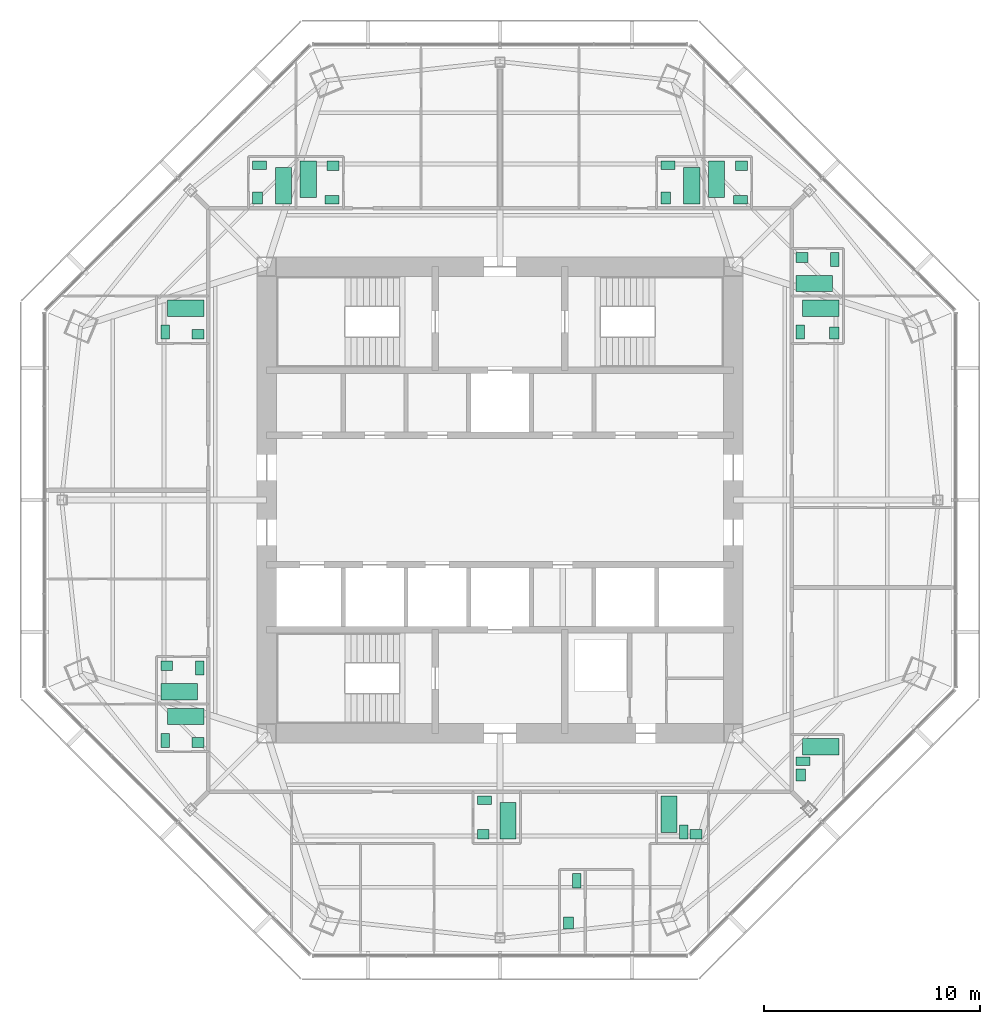
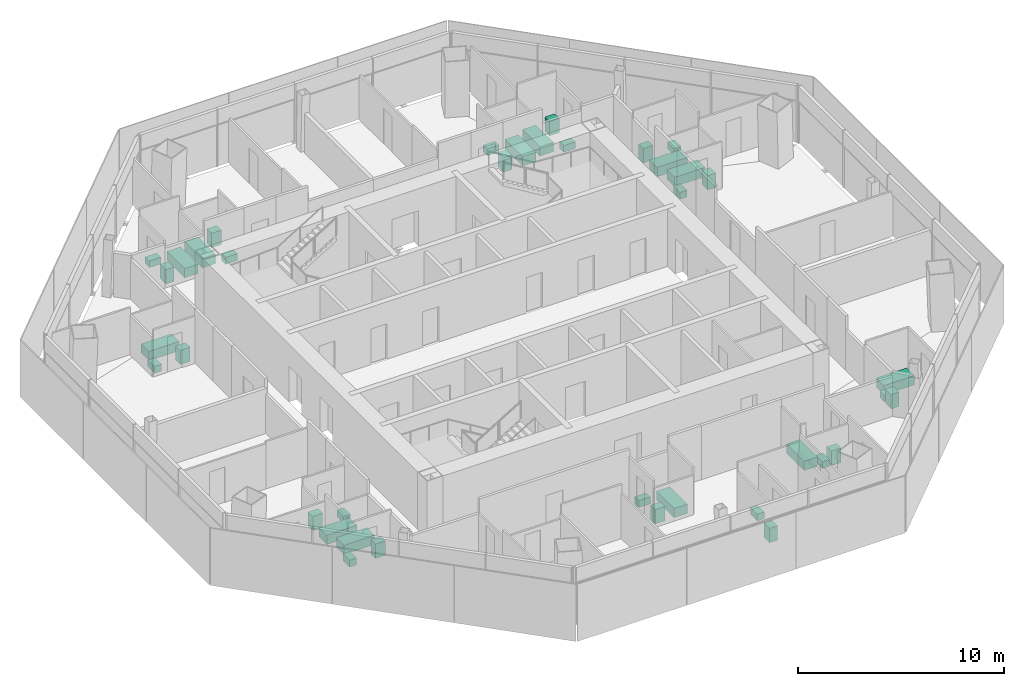
# One storey, part 14 of 14: 38 sanitary terminals.
"""IFC4 building model written with IfcOpenShell, lengths in metres."""

from ifc_helpers import new_model, si_unit, direction, frame, origin, origin_2d, place, context, subcontext, project, spatial, rectangle, extrude, material, type_object, element, save


model = new_model("IFC4")

# Units and contexts
model_context = context("Model", 3, precision=1e-05, world=origin(), true_north=direction((0.0, 1.0)))
body_context = subcontext(model_context, "Body", "Model", "MODEL_VIEW")
ifc_project = project(units=[si_unit("LENGTHUNIT", "METRE"), si_unit("AREAUNIT", "SQUARE_METRE"), si_unit("VOLUMEUNIT", "CUBIC_METRE"), si_unit("PLANEANGLEUNIT", "RADIAN"), si_unit("MASSUNIT", "GRAM", prefix="KILO")], contexts=[model_context])

# Site, building, storey
site_placement = place(None, origin())
site = spatial("IfcSite", under=ifc_project, at=site_placement, CompositionType="ELEMENT")
building_placement = place(site_placement, origin())
building = spatial("IfcBuilding", under=site, at=building_placement, Name="Mashrafa Tower", CompositionType="ELEMENT")
storey_placement = place(building_placement, frame((0.0, 0.0, 244.800048828125)))
storey = spatial("IfcBuildingStorey", under=building, at=storey_placement, Name="L58", CompositionType="ELEMENT", Elevation=244.800048828125)

# Sanitary terminals
ifc_material_1 = material(Name="Enamelled steel", Category="steel")
sanitary_terminal_type_1 = type_object("IfcSanitaryTerminalType", Name="Bath 1700 x 750", PredefinedType="BATH", material=ifc_material_1)
for number, where, z_axis, x_axis, name in (
    (1, (14.85009765625, -11.425048828125, 0.0), (0.0, 0.0, 1.0), (-1.0, 0.0, 0.0), "Bath Apartment 5801 Bathroom"),
    (2, (14.550048828125, 10.02490234375, 0.0), (0.0, 0.0, 1.0), (1.0, 0.0, 0.0), "Bath Apartment 5802 En-suite Bathroom"),
    (3, (14.85009765625, 8.875, 0.0), (0.0, 0.0, 1.0), (-1.0, 0.0, 0.0), "Bath Apartment 5802 Bathroom"),
    (4, (10.02490234375, 14.85009765625, 0.0), (0.0, 0.0, 1.0), (0.0, -1.0, 0.0), "Bath Apartment 5803 En-suite Bathroom"),
    (5, (8.875, 14.550048828125, 0.0), (0.0, 0.0, 1.0), (0.0, 1.0, 0.0), "Bath Apartment 5803 Bathroom"),
    (6, (-10.02490234375, 14.550048828125, 0.0), (0.0, 0.0, 1.0), (0.0, 1.0, 0.0), "Bath Apartment 5804 En-suite Bathroom"),
    (7, (-8.875, 14.85009765625, 0.0), (0.0, 0.0, 1.0), (0.0, -1.0, 0.0), "Bath Apartment 5804 Bathroom"),
    (8, (-14.550048828125, 8.875, 0.0), (0.0, 0.0, 1.0), (-1.0, 0.0, 0.0), "Bath Apartment 5805 Bathroom"),
    (9, (-14.550048828125, -10.02490234375, 0.0), (0.0, 0.0, 1.0), (-1.0, 0.0, 0.0), "Bath Apartment 5806 En-suite Bathroom"),
    (10, (-14.85009765625, -8.875, 0.0), (0.0, 0.0, 1.0), (1.0, 0.0, 0.0), "Bath Apartment 5806 Bathroom"),
    (11, (0.375, -14.85009765625, 0.0), (0.0, 0.0, 1.0), (0.0, 1.0, 0.0), "Bath Apartment 5807 Bathroom"),
    (12, (7.824951171875, -14.550048828125, 0.0), (0.0, 0.0, 1.0), (0.0, -1.0, 0.0), "Bath Apartment 5807 En-suite Bathroom"),
):
    element("IfcSanitaryTerminal", number, at=place(storey_placement, frame(where, z_axis=z_axis, x_axis=x_axis)), inside=storey, type_object=sanitary_terminal_type_1, Name=name, PredefinedType="BATH", context=body_context, shape_type="SweptSolid", body=[
        extrude(rectangle(XDim=1.699951171875, YDim=0.75, at=origin_2d()), origin(), (0.0, 0.0, 1.0), 0.550048828125),
    ])
ifc_material_2 = material(Name="Vitreous china")
sanitary_terminal_type_2 = type_object("IfcSanitaryTerminalType", Name="Toilet pan 400 x 650", PredefinedType="TOILETPAN", material=ifc_material_2)
for number, where, z_axis, x_axis, name in (
    (13, (14.02490234375, -12.10009765625, 0.0), (0.0, 0.0, 1.0), (0.0, -1.0, 0.0), "Toilet pan Apartment 5801 Bathroom"),
    (14, (15.5, 11.125, 0.0), (0.0, 0.0, 1.0), (-1.0, 0.0, 0.0), "Toilet pan Apartment 5802 En-suite Bathroom"),
    (15, (13.89990234375, 7.77490234375, 0.0), (0.0, 0.0, 1.0), (1.0, 0.0, 0.0), "Toilet pan Apartment 5802 Bathroom"),
    (16, (11.125, 13.89990234375, 0.0), (0.0, 0.0, 1.0), (0.0, 1.0, 0.0), "Toilet pan Apartment 5803 En-suite Bathroom"),
    (17, (7.77490234375, 15.5, 0.0), (0.0, 0.0, 1.0), (0.0, -1.0, 0.0), "Toilet pan Apartment 5803 Bathroom"),
    (18, (-11.125, 15.5, 0.0), (0.0, 0.0, 1.0), (0.0, -1.0, 0.0), "Toilet pan Apartment 5804 En-suite Bathroom"),
    (19, (-7.77490234375, 13.89990234375, 0.0), (0.0, 0.0, 1.0), (0.0, 1.0, 0.0), "Toilet pan Apartment 5804 Bathroom"),
    (20, (-15.5, 7.77490234375, 0.0), (0.0, 0.0, 1.0), (1.0, 0.0, 0.0), "Toilet pan Apartment 5805 Bathroom"),
    (21, (-15.5, -11.125, 0.0), (0.0, 0.0, 1.0), (1.0, 0.0, 0.0), "Toilet pan Apartment 5806 En-suite Bathroom"),
    (22, (-13.89990234375, -7.77490234375, 0.0), (0.0, 0.0, 1.0), (-1.0, 0.0, 0.0), "Toilet pan Apartment 5806 Bathroom"),
    (23, (-0.72509765625, -13.89990234375, 0.0), (0.0, 0.0, 1.0), (0.0, -1.0, 0.0), "Toilet pan Apartment 5807 Bathroom"),
    (24, (3.550048828125, -17.625, 0.0), (0.0, 0.0, 1.0), (-1.0, 0.0, 0.0), "Toilet pan Apartment 5807 Maid's WC"),
    (25, (8.5, -15.375, 0.0), (0.0, 0.0, 1.0), (1.0, 0.0, 0.0), "Toilet pan Apartment 5807 En-suite Bathroom"),
):
    element("IfcSanitaryTerminal", number, at=place(storey_placement, frame(where, z_axis=z_axis, x_axis=x_axis)), inside=storey, type_object=sanitary_terminal_type_2, Name=name, PredefinedType="TOILETPAN", context=body_context, shape_type="SweptSolid", body=[
        extrude(rectangle(XDim=0.39990234375, YDim=0.64990234375, at=origin_2d()), origin(), (0.0, 0.0, 1.0), 0.39990234375),
    ])
ifc_material_3 = material(Name="Vitreous china")
sanitary_terminal_type_3 = type_object("IfcSanitaryTerminalType", Name="Wash basin 550 x 450", PredefinedType="WASHHANDBASIN", material=ifc_material_3)
for number, where, z_axis, x_axis, name in (
    (26, (13.925048828125, -12.72509765625, 0.0), (0.0, 0.0, 1.0), (0.0, -1.0, 0.0), "Wash basin Apartment 5801 Bathroom"),
    (27, (13.97509765625, 11.22509765625, 0.0), (0.0, 0.0, 1.0), (-1.0, 0.0, 0.0), "Wash basin Apartment 5802 En-suite Bathroom"),
    (28, (15.47509765625, 7.72509765625, 0.0), (0.0, 0.0, 1.0), (0.0, 1.0, 0.0), "Wash basin Apartment 5802 Bathroom"),
    (29, (11.175048828125, 15.47509765625, 0.0), (0.0, 0.0, 1.0), (-1.0, 0.0, 0.0), "Wash basin Apartment 5803 En-suite Bathroom"),
    (30, (7.675048828125, 13.97509765625, 0.0), (0.0, 0.0, 1.0), (0.0, -1.0, 0.0), "Wash basin Apartment 5803 Bathroom"),
    (31, (-11.22509765625, 13.97509765625, 0.0), (0.0, 0.0, 1.0), (0.0, -1.0, 0.0), "Wash basin Apartment 5804 En-suite Bathroom"),
    (32, (-7.72509765625, 15.47509765625, 0.0), (0.0, 0.0, 1.0), (-1.0, 0.0, 0.0), "Wash basin Apartment 5804 Bathroom"),
    (33, (-13.97509765625, 7.675048828125, 0.0), (0.0, 0.0, 1.0), (1.0, 0.0, 0.0), "Wash basin Apartment 5805 Bathroom"),
    (34, (-13.97509765625, -11.22509765625, 0.0), (0.0, 0.0, 1.0), (1.0, 0.0, 0.0), "Wash basin Apartment 5806 En-suite Bathroom"),
    (35, (-15.425048828125, -7.675048828125, 0.0), (0.0, 0.0, 1.0), (-1.0, 0.0, 0.0), "Wash basin Apartment 5806 Bathroom"),
    (36, (-0.77490234375, -15.47509765625, 0.0), (0.0, 0.0, 1.0), (1.0, 0.0, 0.0), "Wash basin Apartment 5807 Bathroom"),
    (37, (3.175048828125, -19.574951171875, 0.0), (0.0, 0.0, 1.0), (0.0, -1.0, 0.0), "Wash basin Apartment 5807 Maid's WC"),
    (38, (9.074951171875, -15.47509765625, 0.0), (0.0, 0.0, 1.0), (1.0, 0.0, 0.0), "Wash basin Apartment 5807 En-suite Bathroom"),
):
    element("IfcSanitaryTerminal", number, at=place(storey_placement, frame(where, z_axis=z_axis, x_axis=x_axis)), inside=storey, type_object=sanitary_terminal_type_3, Name=name, PredefinedType="WASHHANDBASIN", context=body_context, shape_type="SweptSolid", body=[
        extrude(rectangle(XDim=0.550048828125, YDim=0.449951171875, at=origin_2d()), origin(), (0.0, 0.0, 1.0), 0.85009765625),
    ])

save(model, "model.ifc")
